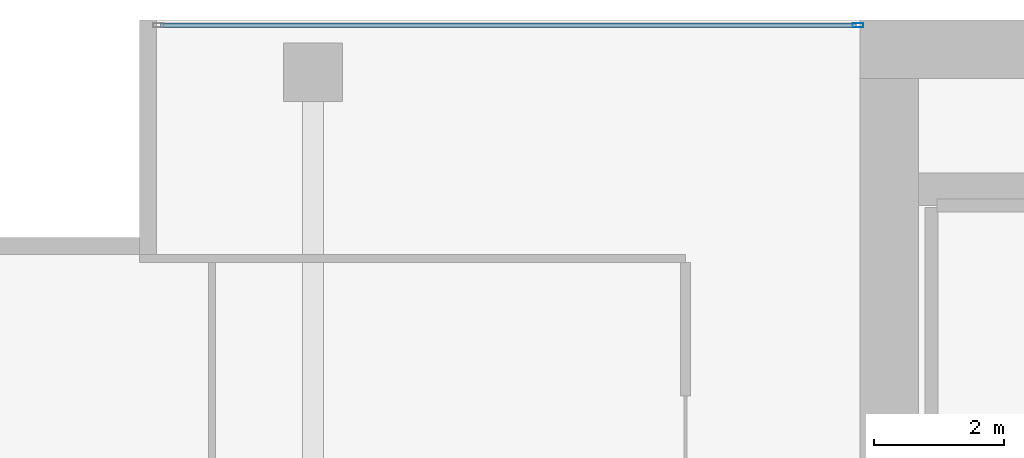
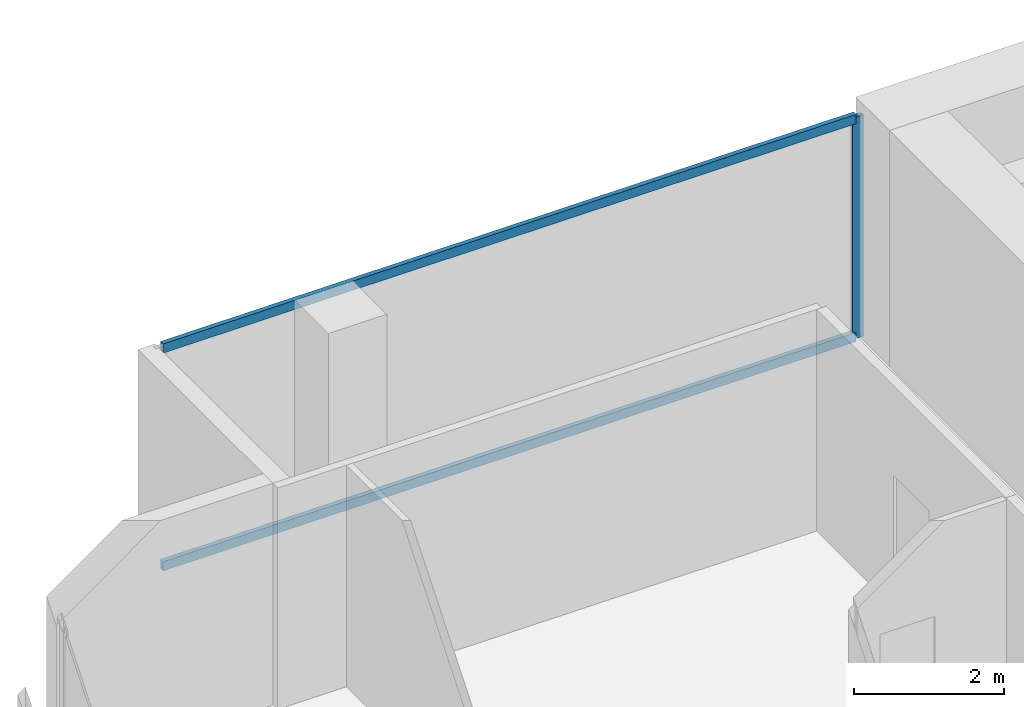
# One storey, part 26 of 40: 3 members, 1 element without a shape of its own.
"""IFC4 building model written with IfcOpenShell, lengths in metres."""

from ifc_helpers import new_model, si_unit, direction, frame, origin, origin_2d, place, context, subcontext, project, spatial, hollow_rectangle, extrude, material, layer, layer_set, material_profile, profile_set, type_object, element, aggregate, save


model = new_model("IFC4")

# Units and contexts
model_context = context("Model", 3, precision=1e-05, world=origin(), true_north=direction((0.0, 1.0)))
body_context = subcontext(model_context, "Body", "Model", "MODEL_VIEW")
ifc_project = project(units=[si_unit("LENGTHUNIT", "METRE"), si_unit("AREAUNIT", "SQUARE_METRE"), si_unit("VOLUMEUNIT", "CUBIC_METRE"), si_unit("PLANEANGLEUNIT", "RADIAN"), si_unit("MASSUNIT", "GRAM", prefix="KILO")], contexts=[model_context])

# Site, building, storey
site_placement = place(None, origin())
site = spatial("IfcSite", under=ifc_project, at=site_placement, CompositionType="ELEMENT")
building_placement = place(site_placement, origin())
building = spatial("IfcBuilding", under=site, at=building_placement, Name="Maruvema Waterfront Hotel and Observation Tower", CompositionType="ELEMENT")
storey_placement = place(building_placement, frame((0.0, 0.0, 103.949951171875)))
storey = spatial("IfcBuildingStorey", under=building, at=storey_placement, Name="L25", CompositionType="ELEMENT", Elevation=103.949951171875)

# Curtain wall, members
ifc_material_1 = material(Name="Anodised bronze aluminium and solar-control low-E IGU", Category="aluminium")
ifc_layer = layer(ifc_material_1, 0.159912109375, Name="Zone 1 Bronze Inner Thermal Curtain Wall System CW-02")
ifc_layer_set = layer_set([ifc_layer], Name="Anodised bronze aluminium and solar-control low-E IGU")
curtain_wall_type = type_object("IfcCurtainWallType", Name="Zone 1 Bronze Inner Thermal Curtain Wall System CW-02", PredefinedType="USERDEFINED", material=ifc_layer_set)
curtain_wall_placement = place(storey_placement, origin())
curtain_wall = element("IfcCurtainWall", 1, at=curtain_wall_placement, inside=storey, type_object=curtain_wall_type, Name="L25 Curtain Wall CW-L25-NW", ObjectType="UNITISED CURTAIN WALL", PredefinedType="USERDEFINED")
ifc_material_2 = material(Name="Anodised architectural bronze aluminium", Category="aluminium")
ifc_material_profile_1 = material_profile(ifc_material_2, hollow_rectangle(XDim=0.070068359375, YDim=0.14990234375, WallThickness=0.00390625, at=origin_2d()), Name="ALU-T70x150")
ifc_profile_set_1 = profile_set([ifc_material_profile_1], Name="Anodised architectural bronze aluminium")
member_type_1 = type_object("IfcMemberType", Name="Curtain Wall Horizontal Transom ALU-T70x150", PredefinedType="USERDEFINED", material=ifc_profile_set_1)
member_1_placement = place(storey_placement, frame((25.139892578125, 53.919921875, 0.030029296875), z_axis=(-1.0, 0.0, 0.0), x_axis=(0.0, -1.0, 0.0)))
member_1 = element("IfcMember", 2, at=member_1_placement, type_object=member_type_1, Name="CW-02 transom 1.1", ObjectType="TRANSOM", PredefinedType="USERDEFINED", context=body_context, shape_type="SweptSolid", body=[
    extrude(hollow_rectangle(XDim=0.070068359375, YDim=0.14990234375, WallThickness=0.00390625, at=origin_2d()), origin(), (0.0, 0.0, 1.0), 10.679931640625),
])
member_2_placement = place(storey_placement, frame((25.139892578125, 53.919921875, 3.580078125), z_axis=(-1.0, 0.0, 0.0), x_axis=(0.0, -1.0, 0.0)))
member_2 = element("IfcMember", 3, at=member_2_placement, type_object=member_type_1, Name="CW-02 transom 1.2", ObjectType="TRANSOM", PredefinedType="USERDEFINED", context=body_context, shape_type="SweptSolid", body=[
    extrude(hollow_rectangle(XDim=0.070068359375, YDim=0.14990234375, WallThickness=0.00390625, at=origin_2d()), origin(), (0.0, 0.0, 1.0), 10.679931640625),
])
ifc_material_3 = material(Name="Anodised architectural bronze aluminium", Category="aluminium")
ifc_material_profile_2 = material_profile(ifc_material_3, hollow_rectangle(XDim=0.06494140625, YDim=0.1650390625, WallThickness=0.00390625, at=origin_2d()), Name="ALU-M65x165")
ifc_profile_set_2 = profile_set([ifc_material_profile_2], Name="Anodised architectural bronze aluminium")
member_type_2 = type_object("IfcMemberType", Name="Curtain Wall Primary Mullion ALU-M65x165", PredefinedType="MULLION", material=ifc_profile_set_2)
member_3_placement = place(storey_placement, frame((25.169921875, 53.919921875, 0.0), z_axis=(0.0, 0.0, 1.0), x_axis=(0.0, -1.0, 0.0)))
member_3 = element("IfcMember", 4, at=member_3_placement, type_object=member_type_2, Name="CW-02 mullion 1", PredefinedType="MULLION", context=body_context, shape_type="SweptSolid", body=[
    extrude(hollow_rectangle(XDim=0.06494140625, YDim=0.1650390625, WallThickness=0.00390625, at=origin_2d()), origin(), (0.0, 0.0, 1.0), 3.610107421875),
])
aggregate(curtain_wall, [member_3, member_1, member_2])

save(model, "model.ifc")
